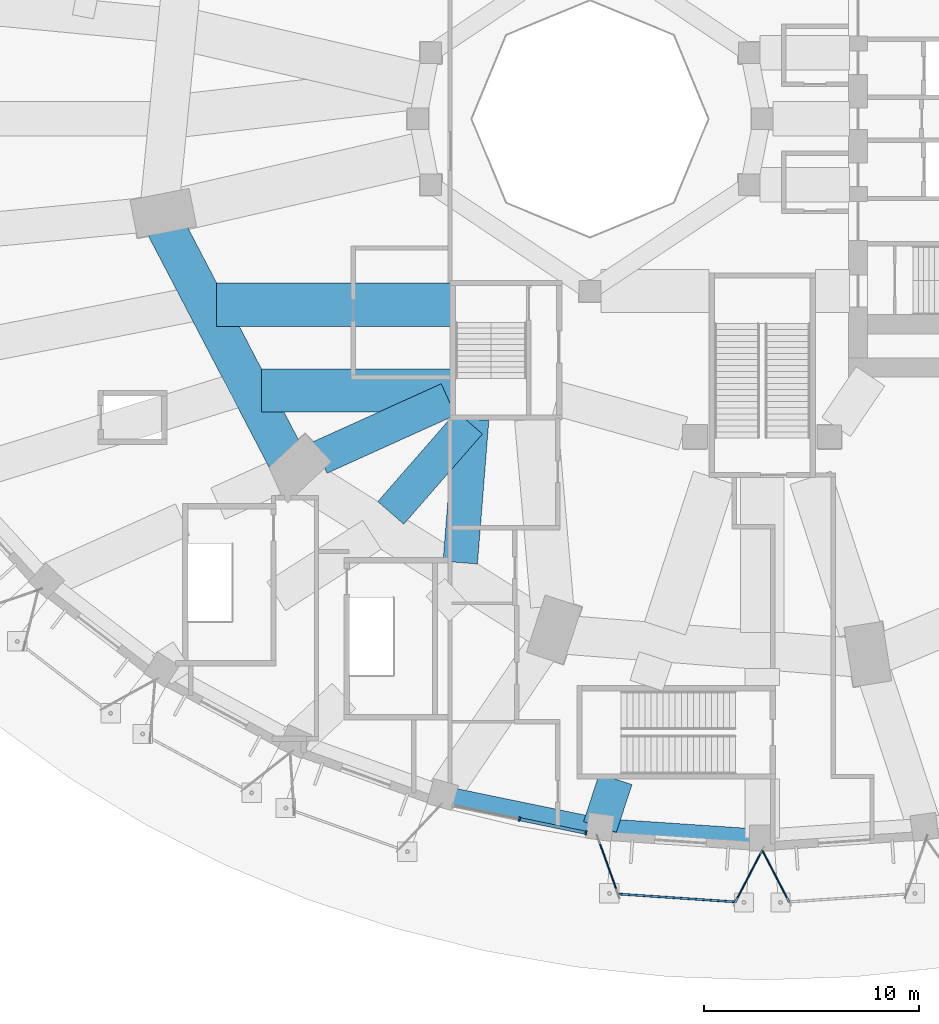
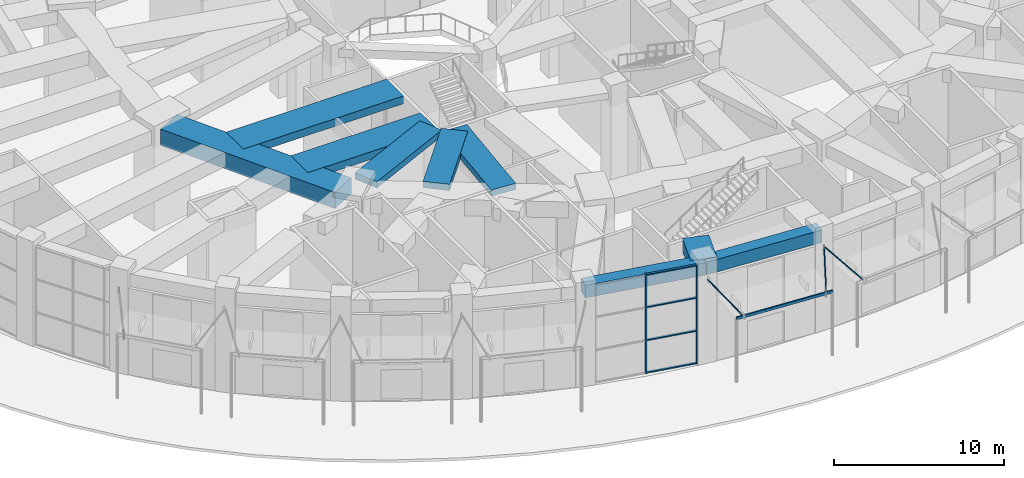
# One storey, part 23 of 60: 10 beams, 9 members, 1 element without a shape of its own.
"""IFC4 building model written with IfcOpenShell, lengths in metres."""

import ifcopenshell
import ifcopenshell.guid

model = None  # the IFC model being written
_history = None  # IfcOwnerHistory: only IFC2X3 demands one
_inside = {}  # id of a spatial element -> (the spatial element, [elements in it])
_under = {}  # id of a project, library or spatial element -> (it, [spatial elements below it])
_declared = {}  # id of a project -> (the project, [libraries it declares])
_typed = {}  # id of a type object -> (the type object, [elements of that type])
_made_of = {}  # id of a material, layer set ... -> (it, [elements and type objects made of it])


def new_model(schema):
    """Start an empty IFC model of exactly this schema.

    Asked for "IFC4X3", IfcOpenShell would pick the latest addendum, in which some entities
    have other attributes; the version numbers below select the first issue.
    IFC2X3 requires an IfcOwnerHistory on every rooted entity: one is made here for all.
    """
    global model, _history
    if schema == "IFC4X3":
        model = ifcopenshell.file(schema_version=(4, 3, 0, 0))
    else:
        model = ifcopenshell.file(schema=schema)
    _inside.clear()
    _under.clear()
    _declared.clear()
    _typed.clear()
    _made_of.clear()
    _history = None
    if model.schema == "IFC2X3":
        org = make("IfcOrganization", Name="unknown")
        user = make(
            "IfcPersonAndOrganization",
            ThePerson=make("IfcPerson", FamilyName="unknown"),
            TheOrganization=org,
        )
        app = make(
            "IfcApplication",
            ApplicationDeveloper=org,
            Version="unknown",
            ApplicationFullName="unknown",
            ApplicationIdentifier="unknown",
        )
        _history = make(
            "IfcOwnerHistory",
            OwningUser=user,
            OwningApplication=app,
            ChangeAction="ADDED",
            CreationDate=0,
        )
    return model


def make(cls, **values):
    """One entity of the class cls with the attributes given. An attribute that is None is left unset."""
    return model.create_entity(
        cls, **{name: value for name, value in values.items() if value is not None}
    )


def rooted(cls, **values):
    """An entity with a GlobalId (a new one), such as an element, a storey or a relation."""
    return make(cls, GlobalId=ifcopenshell.guid.new(), OwnerHistory=_history, **values)


def si_unit(unit_type, name, prefix=None):
    """IfcSIUnit, for example si_unit("LENGTHUNIT", "METRE", prefix="MILLI")."""
    return make("IfcSIUnit", UnitType=unit_type, Prefix=prefix, Name=name)


def assignment(units):
    """IfcUnitAssignment: the units of a project."""
    return None if units is None else make("IfcUnitAssignment", Units=units)


def point(xyz):
    """IfcCartesianPoint."""
    return None if xyz is None else make("IfcCartesianPoint", Coordinates=xyz)


def direction(xyz):
    """IfcDirection."""
    return None if xyz is None else make("IfcDirection", DirectionRatios=xyz)


def frame(location, z_axis=None, x_axis=None):
    """IfcAxis2Placement3D, a coordinate frame: its origin and axes. An axis left out is left unset."""
    return make(
        "IfcAxis2Placement3D",
        Location=point(location),
        Axis=direction(z_axis),
        RefDirection=direction(x_axis),
    )


def frame_2d(location, x_axis=None):
    """IfcAxis2Placement2D, a coordinate frame in the plane: its origin and x axis."""
    return make(
        "IfcAxis2Placement2D", Location=point(location), RefDirection=direction(x_axis)
    )


def origin():
    """The frame at (0, 0, 0) with its axes left unset."""
    return frame((0.0, 0.0, 0.0))


def origin_2d():
    """The frame at (0, 0) in the plane with its x axis left unset."""
    return frame_2d((0.0, 0.0))


def place(relative_to, where):
    """IfcLocalPlacement: puts the frame where relative to a parent placement (None: the world)."""
    return make(
        "IfcLocalPlacement", PlacementRelTo=relative_to, RelativePlacement=where
    )


def context(
    kind, dimensions, precision=None, world=None, true_north=None, identifier=None
):
    """IfcGeometricRepresentationContext, for example the 3D "Model" context."""
    return make(
        "IfcGeometricRepresentationContext",
        ContextIdentifier=identifier,
        ContextType=kind,
        CoordinateSpaceDimension=dimensions,
        Precision=precision,
        WorldCoordinateSystem=world,
        TrueNorth=true_north,
    )


def subcontext(parent, identifier, kind, view, scale=None):
    """IfcGeometricRepresentationSubContext, for example "Body" below "Model"."""
    return make(
        "IfcGeometricRepresentationSubContext",
        ContextIdentifier=identifier,
        ContextType=kind,
        ParentContext=parent,
        TargetScale=scale,
        TargetView=view,
    )


def project(units=None, contexts=None):
    """IfcProject with its units and contexts."""
    return rooted(
        "IfcProject",
        Name="project",
        RepresentationContexts=contexts,
        UnitsInContext=assignment(units),
    )


def spatial(cls, under=None, at=None, **own):
    """A site, building, storey or space (cls), placed at a placement, below another one or the project."""
    s = rooted(cls, ObjectPlacement=at, **own)
    if under is not None:
        _under.setdefault(under.id(), (under, []))[1].append(s)
    return s


def profile(cls, at=None, kind="AREA", **sizes):
    """A parametric profile (cls). Its sizes go by their IFC names, for example OverallWidth=200.0."""
    return make(cls, ProfileType=kind, Position=at, **sizes)


def rectangle(**sizes):
    """IfcRectangleProfileDef."""
    return profile("IfcRectangleProfileDef", **sizes)


def hollow_rectangle(**sizes):
    """IfcRectangleHollowProfileDef."""
    return profile("IfcRectangleHollowProfileDef", **sizes)


def hollow_circle(**sizes):
    """IfcCircleHollowProfileDef."""
    return profile("IfcCircleHollowProfileDef", **sizes)


def extrude(swept, where, along, depth):
    """IfcExtrudedAreaSolid: the profile swept, set in the frame where, extruded along a direction by depth."""
    return make(
        "IfcExtrudedAreaSolid",
        SweptArea=swept,
        Position=where,
        ExtrudedDirection=direction(along),
        Depth=depth,
    )


def shape(context_of_items, identifier, shape_type, items):
    """IfcShapeRepresentation: the items that make up one representation, for example the "Body"."""
    return make(
        "IfcShapeRepresentation",
        ContextOfItems=context_of_items,
        RepresentationIdentifier=identifier,
        RepresentationType=shape_type,
        Items=items,
    )


def material(Name=None, Category=None):
    """IfcMaterial."""
    return make("IfcMaterial", Name=Name, Category=Category)


def material_profile(
    of_material, cross_section, Name=None, Category=None, Priority=None
):
    """IfcMaterialProfile: a cross section and its material."""
    return make(
        "IfcMaterialProfile",
        Name=Name,
        Material=of_material,
        Profile=cross_section,
        Priority=Priority,
        Category=Category,
    )


def profile_set(profiles, Name=None, composite=None):
    """IfcMaterialProfileSet."""
    return make(
        "IfcMaterialProfileSet",
        Name=Name,
        MaterialProfiles=profiles,
        CompositeProfile=composite,
    )


def made_of(thing, what):
    """Note that an element or type object is made of a material, layer set ...; save() writes the relation."""
    if what is not None:
        _made_of.setdefault(what.id(), (what, []))[1].append(thing)
    return thing


def type_object(cls, material=None, **own):
    """A type object (cls), such as IfcWallType, which elements share."""
    return made_of(rooted(cls, **own), material)


def element(
    cls,
    number,
    at=None,
    inside=None,
    cuts=None,
    type_object=None,
    material=None,
    context=None,
    identifier="Body",
    shape_type=None,
    held_by="IfcProductDefinitionShape",
    body=None,
    shapes=None,
    **own,
):
    """One element of the class cls, such as IfcWall. Its Tag is "e" and its number.

    at: its placement. inside: the storey or other place that contains it. cuts: it is an
    opening in that element (IfcRelVoidsElement). A single representation is given by context,
    identifier, shape_type and body (its items); several are given by shapes. held_by: the class
    of the entity that holds the representations. save() writes the other relations.
    """
    e = rooted(cls, Tag="e%d" % number, ObjectPlacement=at, **own)
    if body is not None:
        shapes = [shape(context, identifier, shape_type, body)]
    if shapes is not None:
        e.Representation = make(held_by, Representations=shapes)
    if inside is not None:
        _inside.setdefault(inside.id(), (inside, []))[1].append(e)
    if cuts is not None:
        rooted(
            "IfcRelVoidsElement", RelatingBuildingElement=cuts, RelatedOpeningElement=e
        )
    if type_object is not None:
        _typed.setdefault(type_object.id(), (type_object, []))[1].append(e)
    return made_of(e, material)


def aggregate(whole, parts):
    """IfcRelAggregates: a whole, such as a stair, and the parts it consists of."""
    return rooted("IfcRelAggregates", RelatingObject=whole, RelatedObjects=parts)


def save(model, path):
    """Write the relations noted so far, then the file.

    IfcRelAggregates (storeys below a building ...), IfcRelContainedInSpatialStructure (elements
    in a storey), IfcRelDefinesByType, IfcRelAssociatesMaterial and IfcRelDeclares: one each for
    every whole, place, type object, material and project.
    """
    for whole, parts in _under.values():
        aggregate(whole, parts)
    for where, things in _inside.values():
        rooted(
            "IfcRelContainedInSpatialStructure",
            RelatedElements=things,
            RelatingStructure=where,
        )
    for kind, things in _typed.values():
        rooted("IfcRelDefinesByType", RelatedObjects=things, RelatingType=kind)
    for what, things in _made_of.values():
        rooted("IfcRelAssociatesMaterial", RelatedObjects=things, RelatingMaterial=what)
    for by, libraries in _declared.values():
        rooted("IfcRelDeclares", RelatingContext=by, RelatedDefinitions=libraries)
    model.write(path)


model = new_model("IFC4")

# Units and contexts
model_context = context("Model", 3, precision=1e-05, world=origin(), true_north=direction((0.0, 1.0)))
body_context = subcontext(model_context, "Body", "Model", "MODEL_VIEW")
ifc_project = project(units=[si_unit("LENGTHUNIT", "METRE"), si_unit("AREAUNIT", "SQUARE_METRE"), si_unit("VOLUMEUNIT", "CUBIC_METRE"), si_unit("PLANEANGLEUNIT", "RADIAN"), si_unit("MASSUNIT", "GRAM", prefix="KILO")], contexts=[model_context])

# Site, building, storey
site_placement = place(None, origin())
site = spatial("IfcSite", under=ifc_project, at=site_placement, CompositionType="ELEMENT")
building_placement = place(site_placement, origin())
building = spatial("IfcBuilding", under=site, at=building_placement, Name="Taillehof Tower", CompositionType="ELEMENT")
storey_placement = place(building_placement, origin())
storey = spatial("IfcBuildingStorey", under=building, at=storey_placement, Name="L00", CompositionType="ELEMENT", Elevation=0.0)

# Beam
ifc_material_1 = material(Name="Steel S460M", Category="steel")
ifc_material_profile_1 = material_profile(ifc_material_1, hollow_rectangle(XDim=0.10009765625, YDim=0.199951171875, WallThickness=0.008056640625, InnerFilletRadius=0.008056640625, OuterFilletRadius=0.011962890625, at=origin_2d()), Name="RHS 200x100x8")
ifc_profile_set_1 = profile_set([ifc_material_profile_1], Name="Steel S460M")
beam_type_1 = type_object("IfcBeamType", Name="Canopy edge beam RHS 200x100x8", PredefinedType="BEAM", material=ifc_profile_set_1)
beam_1_placement = place(storey_placement, frame((-7.118408203125, -35.977294921875, 4.550048828125), z_axis=(0.997740558403, -0.067184656867, 0.0), x_axis=(0.067184656867, 0.997740558403, 0.0)))
element("IfcBeam", 1, at=beam_1_placement, inside=storey, type_object=beam_type_1, Name="Canopy edge beam E5", PredefinedType="BEAM", context=body_context, shape_type="SweptSolid", body=[
    extrude(hollow_rectangle(XDim=0.10009765625, YDim=0.199951171875, WallThickness=0.008056640625, InnerFilletRadius=0.008056640625, OuterFilletRadius=0.011962890625, at=origin_2d()), origin(), (0.0, 0.0, 1.0), 6.3046875),
])

# Members
ifc_material_2 = material(Name="Steel S460M", Category="steel")
ifc_material_profile_2 = material_profile(ifc_material_2, hollow_circle(Radius=0.04443359375, WallThickness=0.0048828125, at=origin_2d()), Name="CHS 89x5")
ifc_profile_set_2 = profile_set([ifc_material_profile_2], Name="Steel S460M")
member_type_1 = type_object("IfcMemberType", Name="Canopy tie CHS 89x5", PredefinedType="BRACE", material=ifc_profile_set_2)
member_1_placement = place(storey_placement, frame((-6.699462890625, -36.00537109375, 4.639892578125), z_axis=(-0.30166245095, 0.841076499631, 0.448987847781), x_axis=(-0.941288035455, -0.337604553153, 0.0)))
element("IfcMember", 2, at=member_1_placement, inside=storey, type_object=member_type_1, Name="Canopy tie E5", PredefinedType="BRACE", context=body_context, shape_type="SweptSolid", body=[
    extrude(hollow_circle(Radius=0.04443359375, WallThickness=0.0048828125, at=origin_2d()), origin(), (0.0, 0.0, 1.0), 3.029296875),
])
for number, where, z_axis, x_axis, name in (
    (3, (-1.2470703125, -36.37255859375, 4.639892578125), (0.411650476562, 0.793079941239, 0.44896335257), (-0.887560617188, 0.460690949354, 0.0), "Canopy tie E5"),
    (4, (1.2470703125, -36.37255859375, 4.639892578125), (-0.411650476562, 0.793079941239, 0.44896335257), (-0.887560617188, -0.460690949354, 0.0), "Canopy tie E6"),
):
    element("IfcMember", number, at=place(storey_placement, frame(where, z_axis=z_axis, x_axis=x_axis)), inside=storey, type_object=member_type_1, Name=name, PredefinedType="BRACE", context=body_context, shape_type="SweptSolid", body=[
        extrude(hollow_circle(Radius=0.04443359375, WallThickness=0.0048828125, at=origin_2d()), origin(), (0.0, 0.0, 1.0), 3.029541015625),
    ])

# Beams
ifc_material_3 = material(Name="Concrete C50/60", Category="concrete")
ifc_material_profile_3 = material_profile(ifc_material_3, rectangle(XDim=0.800048828125, YDim=0.89990234375, at=origin_2d()), Name="RC 800x900")
ifc_profile_set_3 = profile_set([ifc_material_profile_3], Name="Concrete C50/60")
beam_type_2 = type_object("IfcBeamType", Name="Podium edge beam C50/60 800x900", PredefinedType="BEAM", material=ifc_profile_set_3)
beam_2_placement = place(storey_placement, frame((-14.84375, -31.3857421875, 6.639892578125), z_axis=(0.979394077534, -0.201958512797, 0.0), x_axis=(0.201958512797, 0.979394077534, 0.0)))
element("IfcBeam", 5, at=beam_2_placement, inside=storey, type_object=beam_type_2, Name="Podium edge beam PB26", PredefinedType="BEAM", context=body_context, shape_type="SweptSolid", body=[
    extrude(rectangle(XDim=0.800048828125, YDim=0.89990234375, at=origin_2d()), origin(), (0.0, 0.0, 1.0), 7.461181640625),
])
beam_3_placement = place(storey_placement, frame((-7.536376953125, -32.892578125, 6.639892578125), z_axis=(0.997741900844, -0.067164717676, 0.0), x_axis=(0.067164717676, 0.997741900844, 0.0)))
element("IfcBeam", 6, at=beam_3_placement, inside=storey, type_object=beam_type_2, Name="Podium edge beam PB27", PredefinedType="BEAM", context=body_context, shape_type="SweptSolid", body=[
    extrude(rectangle(XDim=0.800048828125, YDim=0.89990234375, at=origin_2d()), origin(), (0.0, 0.0, 1.0), 7.553466796875),
])
ifc_material_4 = material(Name="Concrete C50/60", Category="concrete")
ifc_material_profile_4 = material_profile(ifc_material_4, rectangle(XDim=1.60009765625, YDim=0.89990234375, at=origin_2d()), Name="RC 1600x900")
ifc_profile_set_4 = profile_set([ifc_material_profile_4], Name="Concrete C50/60")
beam_type_3 = type_object("IfcBeamType", Name="Podium radial beam C50/60 1600x900", PredefinedType="BEAM", material=ifc_profile_set_4)
beam_4_placement = place(storey_placement, frame((-7.536376953125, -32.892578125, 6.639892578125), z_axis=(0.311453105326, 0.950261523573, 0.0), x_axis=(-0.950261523573, 0.311453105326, 0.0)))
element("IfcBeam", 7, at=beam_4_placement, inside=storey, type_object=beam_type_3, Name="Podium radial beam PR27", PredefinedType="BEAM", context=body_context, shape_type="SweptSolid", body=[
    extrude(rectangle(XDim=1.60009765625, YDim=0.89990234375, at=origin_2d()), origin(), (0.0, 0.0, 1.0), 2.33349609375),
])
ifc_material_5 = material(Name="Concrete C50/60", Category="concrete")
ifc_material_profile_5 = material_profile(ifc_material_5, rectangle(XDim=1.60009765625, YDim=0.449951171875, at=origin_2d()), Name="RC 1600x450")
ifc_profile_set_5 = profile_set([ifc_material_profile_5], Name="Concrete C50/60")
beam_type_4 = type_object("IfcBeamType", Name="Radial band beam C50/60 1600x450", PredefinedType="BEAM", material=ifc_profile_set_5)
beam_5_placement = place(storey_placement, frame((-20.54345703125, -15.734130859375, 6.864990234375), z_axis=(0.911098251223, 0.412189248547, 0.0), x_axis=(-0.412189248547, 0.911098251223, 0.0)))
element("IfcBeam", 8, at=beam_5_placement, inside=storey, type_object=beam_type_4, Name="Radial band beam RB23", PredefinedType="BEAM", context=body_context, shape_type="SweptSolid", body=[
    extrude(rectangle(XDim=1.60009765625, YDim=0.449951171875, at=origin_2d()), origin(), (0.0, 0.0, 1.0), 6.545654296875),
])
beam_6_placement = place(storey_placement, frame((-17.2529296875, -18.3037109375, 6.864990234375), z_axis=(0.657226031151, 0.75369353452, 0.0), x_axis=(-0.75369353452, 0.657226031151, 0.0)))
element("IfcBeam", 9, at=beam_6_placement, inside=storey, type_object=beam_type_4, Name="Radial band beam RB24", PredefinedType="BEAM", context=body_context, shape_type="SweptSolid", body=[
    extrude(rectangle(XDim=1.60009765625, YDim=0.449951171875, at=origin_2d()), origin(), (0.0, 0.0, 1.0), 5.560302734375),
])
beam_7_placement = place(storey_placement, frame((-14.025390625, -20.612060546875, 6.864990234375), z_axis=(0.079202161818, 0.996858574505, 0.0), x_axis=(-0.996858574505, 0.079202161818, 0.0)))
element("IfcBeam", 10, at=beam_7_placement, inside=storey, type_object=beam_type_4, Name="Radial band beam RB25", PredefinedType="BEAM", context=body_context, shape_type="SweptSolid", body=[
    extrude(rectangle(XDim=1.60009765625, YDim=0.449951171875, at=origin_2d()), origin(), (0.0, 0.0, 1.0), 6.682861328125),
])
ifc_material_6 = material(Name="Concrete C50/60", Category="concrete")
ifc_material_profile_6 = material_profile(ifc_material_6, rectangle(XDim=2.0, YDim=0.550048828125, at=origin_2d()), Name="RC 2000x550")
ifc_profile_set_6 = profile_set([ifc_material_profile_6], Name="Concrete C50/60")
beam_type_5 = type_object("IfcBeamType", Name="Radial band beam C50/60 2000x550", PredefinedType="BEAM", material=ifc_profile_set_6)
beam_8_placement = place(storey_placement, frame((-25.33984375, -8.635986328125, 6.81494140625), z_axis=(1.0, 0.0, 0.0), x_axis=(0.0, 1.0, 0.0)))
element("IfcBeam", 11, at=beam_8_placement, inside=storey, type_object=beam_type_5, Name="Radial band beam RB21", PredefinedType="BEAM", context=body_context, shape_type="SweptSolid", body=[
    extrude(rectangle(XDim=2.0, YDim=0.550048828125, at=origin_2d()), origin(), (0.0, 0.0, 1.0), 10.889892578125),
])
beam_9_placement = place(storey_placement, frame((-23.2587890625, -12.625, 6.81494140625), z_axis=(1.0, 0.0, 0.0), x_axis=(0.0, 1.0, 0.0)))
element("IfcBeam", 12, at=beam_9_placement, inside=storey, type_object=beam_type_5, Name="Radial band beam RB22", PredefinedType="BEAM", context=body_context, shape_type="SweptSolid", body=[
    extrude(rectangle(XDim=2.0, YDim=0.550048828125, at=origin_2d()), origin(), (0.0, 0.0, 1.0), 8.808837890625),
])
ifc_material_7 = material(Name="Concrete C50/60", Category="concrete")
ifc_material_profile_7 = material_profile(ifc_material_7, rectangle(XDim=1.800048828125, YDim=1.14990234375, at=origin_2d()), Name="RC 1800x1150")
ifc_profile_set_7 = profile_set([ifc_material_profile_7], Name="Concrete C50/60")
beam_type_6 = type_object("IfcBeamType", Name="Ring floor beam C50/60 1800x1150", PredefinedType="BEAM", material=ifc_profile_set_7)
beam_10_placement = place(storey_placement, frame((-27.716552734375, -5.01708984375, 6.514892578125), z_axis=(0.462558439378, -0.88658879429, 0.0), x_axis=(0.88658879429, 0.462558439378, 0.0)))
element("IfcBeam", 13, at=beam_10_placement, inside=storey, type_object=beam_type_6, Name="Ring floor beam RG07", PredefinedType="BEAM", context=body_context, shape_type="SweptSolid", body=[
    extrude(rectangle(XDim=1.800048828125, YDim=1.14990234375, at=origin_2d()), origin(), (0.0, 0.0, 1.0), 12.12841796875),
])

# Curtain wall, members
ifc_material_8 = material(Name="Aluminium curtain wall with Clear laminated safety glass", Category="aluminium")
curtain_wall_type = type_object("IfcCurtainWallType", Name="Station storefront curtain wall", PredefinedType="USERDEFINED", material=ifc_material_8)
curtain_wall_placement = place(storey_placement, origin())
curtain_wall = element("IfcCurtainWall", 14, at=curtain_wall_placement, inside=storey, type_object=curtain_wall_type, Name="Station storefront L00 bay 26", ObjectType="STOREFRONT", PredefinedType="USERDEFINED")
ifc_material_9 = material(Name="Aluminium mullion", Category="aluminium")
ifc_material_profile_8 = material_profile(ifc_material_9, rectangle(XDim=0.199951171875, YDim=0.080078125, at=origin_2d()), Name="AL 80x200")
ifc_profile_set_8 = profile_set([ifc_material_profile_8], Name="Aluminium mullion")
member_type_2 = type_object("IfcMemberType", Name="Station storefront mullion 80x200", PredefinedType="MULLION", material=ifc_profile_set_8)
member_2_placement = place(storey_placement, frame((-11.27099609375, -32.529296875, 0.0), z_axis=(0.0, 0.0, 1.0), x_axis=(0.201976001877, 0.97939047099, 0.0)))
member_2 = element("IfcMember", 15, at=member_2_placement, type_object=member_type_2, Name="CT126 mullion 2", PredefinedType="MULLION", context=body_context, shape_type="SweptSolid", body=[
    extrude(rectangle(XDim=0.199951171875, YDim=0.080078125, at=origin_2d()), origin(), (0.0, 0.0, 1.0), 7.090087890625),
])
member_3_placement = place(storey_placement, frame((-8.18896484375, -33.1650390625, 0.0), z_axis=(0.0, 0.0, 1.0), x_axis=(0.201976001877, 0.97939047099, 0.0)))
member_3 = element("IfcMember", 16, at=member_3_placement, type_object=member_type_2, Name="CT126 mullion 3", PredefinedType="MULLION", context=body_context, shape_type="SweptSolid", body=[
    extrude(rectangle(XDim=0.199951171875, YDim=0.080078125, at=origin_2d()), origin(), (0.0, 0.0, 1.0), 7.090087890625),
])
ifc_material_10 = material(Name="Aluminium transom", Category="aluminium")
ifc_material_profile_9 = material_profile(ifc_material_10, rectangle(XDim=0.14990234375, YDim=0.080078125, at=origin_2d()), Name="AL 150x80")
ifc_profile_set_9 = profile_set([ifc_material_profile_9], Name="Aluminium transom")
member_type_3 = type_object("IfcMemberType", Name="Station storefront transom 150x80", PredefinedType="USERDEFINED", material=ifc_profile_set_9)
member_4_placement = place(storey_placement, frame((-11.23193359375, -32.537353515625, 0.0400390625), z_axis=(0.979377891643, -0.202036990083, 0.0), x_axis=(0.202036990083, 0.979377891643, 0.0)))
member_4 = element("IfcMember", 17, at=member_4_placement, type_object=member_type_3, Name="CT126 transom 2.1", ObjectType="TRANSOM", PredefinedType="USERDEFINED", context=body_context, shape_type="SweptSolid", body=[
    extrude(rectangle(XDim=0.14990234375, YDim=0.080078125, at=origin_2d()), origin(), (0.0, 0.0, 1.0), 3.06689453125),
])
member_5_placement = place(storey_placement, frame((-11.23193359375, -32.537353515625, 2.36328125), z_axis=(0.979377891643, -0.202036990083, 0.0), x_axis=(0.202036990083, 0.979377891643, 0.0)))
member_5 = element("IfcMember", 18, at=member_5_placement, type_object=member_type_3, Name="CT126 transom 2.2", ObjectType="TRANSOM", PredefinedType="USERDEFINED", context=body_context, shape_type="SweptSolid", body=[
    extrude(rectangle(XDim=0.14990234375, YDim=0.080078125, at=origin_2d()), origin(), (0.0, 0.0, 1.0), 3.06689453125),
])
member_6_placement = place(storey_placement, frame((-11.23193359375, -32.537353515625, 4.726806640625), z_axis=(0.979377891643, -0.202036990083, 0.0), x_axis=(0.202036990083, 0.979377891643, 0.0)))
member_6 = element("IfcMember", 19, at=member_6_placement, type_object=member_type_3, Name="CT126 transom 2.3", ObjectType="TRANSOM", PredefinedType="USERDEFINED", context=body_context, shape_type="SweptSolid", body=[
    extrude(rectangle(XDim=0.14990234375, YDim=0.080078125, at=origin_2d()), origin(), (0.0, 0.0, 1.0), 3.06689453125),
])
member_7_placement = place(storey_placement, frame((-11.23193359375, -32.537353515625, 7.050048828125), z_axis=(0.979377891643, -0.202036990083, 0.0), x_axis=(0.202036990083, 0.979377891643, 0.0)))
member_7 = element("IfcMember", 20, at=member_7_placement, type_object=member_type_3, Name="CT126 transom 2.4", ObjectType="TRANSOM", PredefinedType="USERDEFINED", context=body_context, shape_type="SweptSolid", body=[
    extrude(rectangle(XDim=0.14990234375, YDim=0.080078125, at=origin_2d()), origin(), (0.0, 0.0, 1.0), 3.06689453125),
])
aggregate(curtain_wall, [member_2, member_3, member_4, member_5, member_6, member_7])

save(model, "model.ifc")
